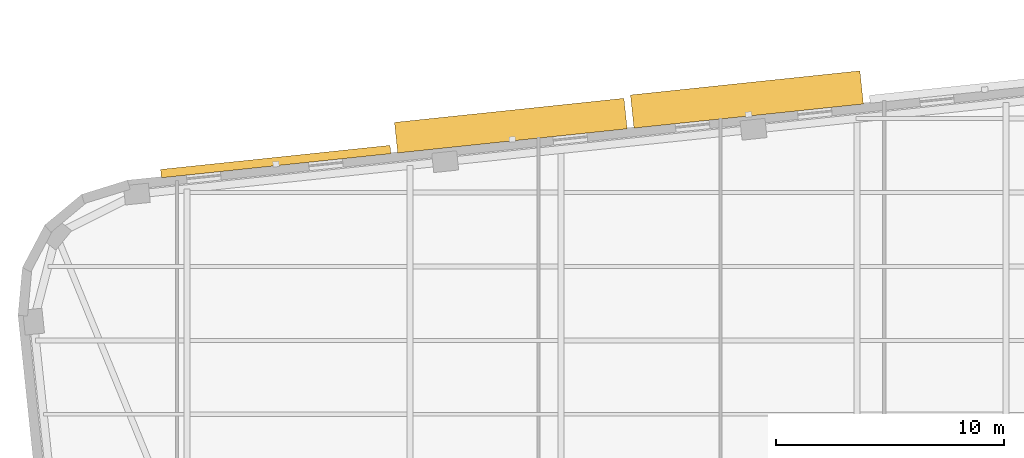
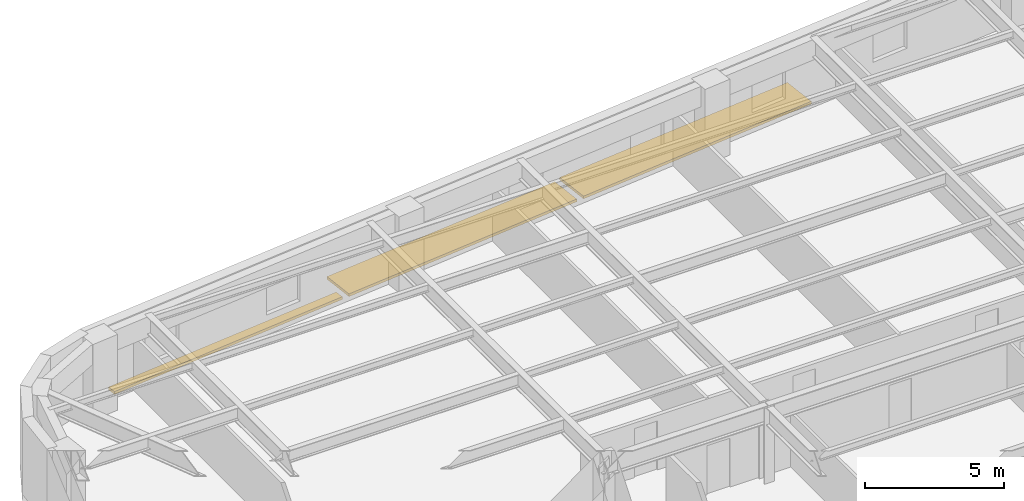
# One storey, part 11 of 12: 3 shading devices.
"""IFC4 building model written with IfcOpenShell, lengths in metres."""

from ifc_helpers import new_model, si_unit, direction, frame, origin, origin_2d, place, context, subcontext, project, spatial, rectangle, extrude, material, type_object, element, save


model = new_model("IFC4")

# Units and contexts
model_context = context("Model", 3, precision=1e-05, world=origin(), true_north=direction((0.0, 1.0)))
body_context = subcontext(model_context, "Body", "Model", "MODEL_VIEW")
ifc_project = project(units=[si_unit("LENGTHUNIT", "METRE"), si_unit("AREAUNIT", "SQUARE_METRE"), si_unit("VOLUMEUNIT", "CUBIC_METRE"), si_unit("PLANEANGLEUNIT", "RADIAN"), si_unit("MASSUNIT", "GRAM", prefix="KILO")], contexts=[model_context])

# Site, building, storey
site_placement = place(None, origin())
site = spatial("IfcSite", under=ifc_project, at=site_placement, CompositionType="ELEMENT")
building_placement = place(site_placement, origin())
building = spatial("IfcBuilding", under=site, at=building_placement, Name="Kolvaren Arena Tower", CompositionType="ELEMENT")
storey_placement = place(building_placement, frame((0.0, 0.0, 149.5)))
storey = spatial("IfcBuildingStorey", under=building, at=storey_placement, Name="L35", CompositionType="ELEMENT", Elevation=149.5)

# Shading devices
ifc_material = material(Name="Architectural precast GFRC and anodised aluminium sunshade", Category="concrete")
shading_device_type_1 = type_object("IfcShadingDeviceType", Name="SHAD-SINE-A", PredefinedType="USERDEFINED", material=ifc_material)
shading_device_1_placement = place(storey_placement, frame((18.45654296875, 51.108642578125, -0.14013671875), z_axis=(0.0, 0.0, 1.0), x_axis=(0.994522077803, 0.104526727499, 0.0)))
element("IfcShadingDevice", 1, at=shading_device_1_placement, inside=storey, type_object=shading_device_type_1, Name="Sinusoidal Slab-Edge Sunshade Louvre (L35)", ObjectType="LOUVRE", PredefinedType="USERDEFINED", context=body_context, shape_type="SweptSolid", body=[
    extrude(rectangle(XDim=10.139892578125, YDim=0.3681640625, at=origin_2d()), origin(), (0.0, 0.0, 1.0), 0.1201171875),
])
shading_device_type_2 = type_object("IfcShadingDeviceType", Name="SHAD-SINE-B", PredefinedType="JALOUSIE", material=ifc_material)
shading_device_2_placement = place(storey_placement, frame((28.7880859375, 52.68798828125, -0.14013671875), z_axis=(0.0, 0.0, 1.0), x_axis=(0.994522077803, 0.104526727499, 0.0)))
element("IfcShadingDevice", 2, at=shading_device_2_placement, inside=storey, type_object=shading_device_type_2, Name="Sinusoidal Slab-Edge Sunshade Louvre (L35)", PredefinedType="JALOUSIE", context=body_context, shape_type="SweptSolid", body=[
    extrude(rectangle(XDim=10.139892578125, YDim=1.349853515625, at=origin_2d()), origin(), (0.0, 0.0, 1.0), 0.1201171875),
])
shading_device_3_placement = place(storey_placement, frame((39.164794921875, 53.8369140625, -0.14013671875), z_axis=(0.0, 0.0, 1.0), x_axis=(0.994522077803, 0.104526727499, 0.0)))
element("IfcShadingDevice", 3, at=shading_device_3_placement, inside=storey, type_object=shading_device_type_2, Name="Sinusoidal Slab-Edge Sunshade Louvre (L35)", PredefinedType="JALOUSIE", context=body_context, shape_type="SweptSolid", body=[
    extrude(rectangle(XDim=10.139892578125, YDim=1.4658203125, at=origin_2d()), origin(), (0.0, 0.0, 1.0), 0.1201171875),
])

save(model, "model.ifc")
